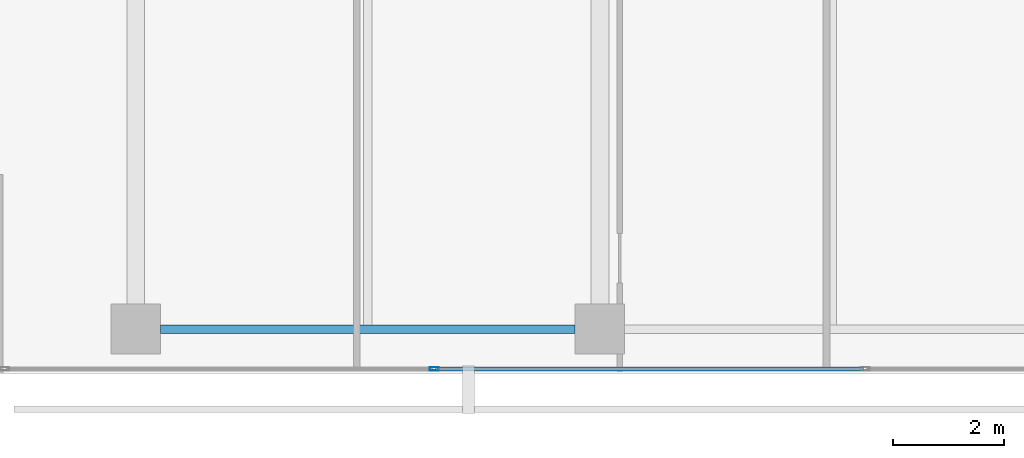
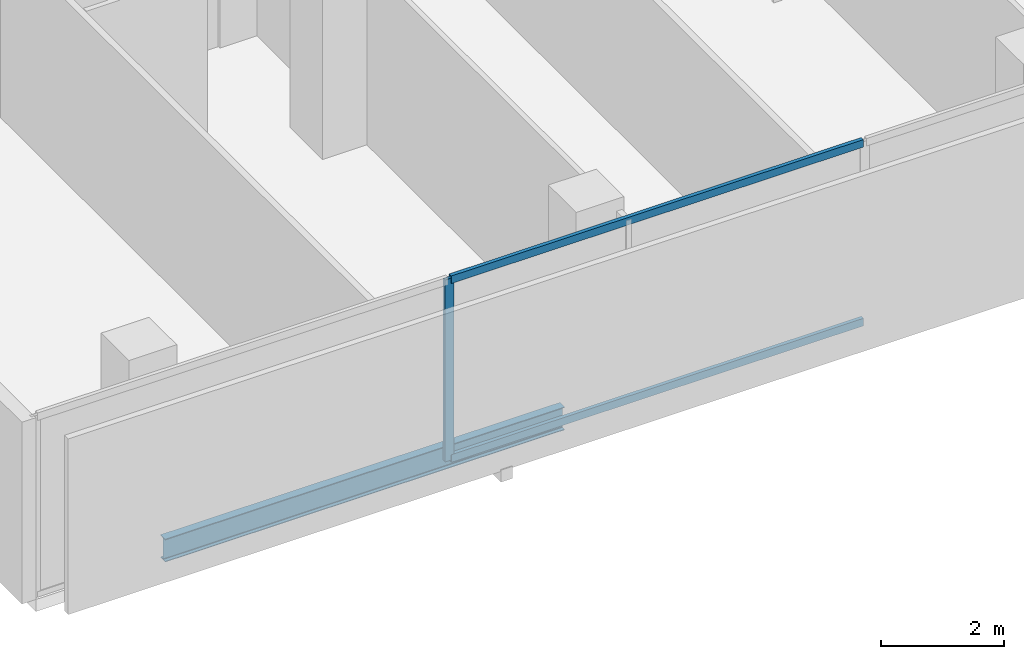
# One storey, part 3 of 40: 3 members, 1 beam, 1 element without a shape of its own.
"""IFC4 building model written with IfcOpenShell, lengths in metres."""

from ifc_helpers import new_model, si_unit, direction, frame, origin, origin_2d, place, context, subcontext, project, spatial, hollow_rectangle, i_section, extrude, material, layer, layer_set, material_profile, profile_set, type_object, element, aggregate, save


model = new_model("IFC4")

# Units and contexts
model_context = context("Model", 3, precision=1e-05, world=origin(), true_north=direction((0.0, 1.0)))
body_context = subcontext(model_context, "Body", "Model", "MODEL_VIEW")
ifc_project = project(units=[si_unit("LENGTHUNIT", "METRE"), si_unit("AREAUNIT", "SQUARE_METRE"), si_unit("VOLUMEUNIT", "CUBIC_METRE"), si_unit("PLANEANGLEUNIT", "RADIAN"), si_unit("MASSUNIT", "GRAM", prefix="KILO")], contexts=[model_context])

# Site, building, storey
site_placement = place(None, origin())
site = spatial("IfcSite", under=ifc_project, at=site_placement, CompositionType="ELEMENT")
building_placement = place(site_placement, origin())
building = spatial("IfcBuilding", under=site, at=building_placement, Name="Maruvema Waterfront Hotel and Observation Tower", CompositionType="ELEMENT")
storey_placement = place(building_placement, frame((0.0, 0.0, 92.39990234375)))
storey = spatial("IfcBuildingStorey", under=building, at=storey_placement, Name="L22", CompositionType="ELEMENT", Elevation=92.39990234375)

# Curtain wall, members
ifc_material_1 = material(Name="Anodised bronze aluminium and solar-control low-E IGU", Category="aluminium")
ifc_layer = layer(ifc_material_1, 0.159912109375, Name="Zone 1 Bronze Inner Thermal Curtain Wall System CW-02")
ifc_layer_set = layer_set([ifc_layer], Name="Anodised bronze aluminium and solar-control low-E IGU")
curtain_wall_type = type_object("IfcCurtainWallType", Name="Zone 1 Bronze Inner Thermal Curtain Wall System CW-02", PredefinedType="USERDEFINED", material=ifc_layer_set)
curtain_wall_placement = place(storey_placement, origin())
curtain_wall = element("IfcCurtainWall", 1, at=curtain_wall_placement, inside=storey, type_object=curtain_wall_type, Name="L22 Curtain Wall CW-L22-S", ObjectType="UNITISED CURTAIN WALL", PredefinedType="USERDEFINED")
ifc_material_2 = material(Name="Anodised architectural bronze aluminium", Category="aluminium")
ifc_material_profile_1 = material_profile(ifc_material_2, hollow_rectangle(XDim=0.070068359375, YDim=0.14990234375, WallThickness=0.00390625, at=origin_2d()), Name="ALU-T70x150")
ifc_profile_set_1 = profile_set([ifc_material_profile_1], Name="Anodised architectural bronze aluminium")
member_type_1 = type_object("IfcMemberType", Name="Curtain Wall Horizontal Transom ALU-T70x150", PredefinedType="USERDEFINED", material=ifc_profile_set_1)
member_1_placement = place(storey_placement, frame((22.22998046875, 0.080078125, 0.030029296875), z_axis=(1.0, 0.0, 0.0), x_axis=(0.0, 1.0, 0.0)))
member_1 = element("IfcMember", 2, at=member_1_placement, type_object=member_type_1, Name="CW-02 transom 2.1", ObjectType="TRANSOM", PredefinedType="USERDEFINED", context=body_context, shape_type="SweptSolid", body=[
    extrude(hollow_rectangle(XDim=0.070068359375, YDim=0.14990234375, WallThickness=0.00390625, at=origin_2d()), origin(), (0.0, 0.0, 1.0), 7.739990234375),
])
member_2_placement = place(storey_placement, frame((22.22998046875, 0.080078125, 3.580078125), z_axis=(1.0, 0.0, 0.0), x_axis=(0.0, 1.0, 0.0)))
member_2 = element("IfcMember", 3, at=member_2_placement, type_object=member_type_1, Name="CW-02 transom 2.2", ObjectType="TRANSOM", PredefinedType="USERDEFINED", context=body_context, shape_type="SweptSolid", body=[
    extrude(hollow_rectangle(XDim=0.070068359375, YDim=0.14990234375, WallThickness=0.00390625, at=origin_2d()), origin(), (0.0, 0.0, 1.0), 7.739990234375),
])
ifc_material_3 = material(Name="Anodised architectural bronze aluminium", Category="aluminium")
ifc_material_profile_2 = material_profile(ifc_material_3, hollow_rectangle(XDim=0.06494140625, YDim=0.1650390625, WallThickness=0.00390625, at=origin_2d()), Name="ALU-M65x165")
ifc_profile_set_2 = profile_set([ifc_material_profile_2], Name="Anodised architectural bronze aluminium")
member_type_2 = type_object("IfcMemberType", Name="Curtain Wall Primary Mullion ALU-M65x165", PredefinedType="MULLION", material=ifc_profile_set_2)
member_3_placement = place(storey_placement, frame((22.199951171875, 0.080078125, 0.0), z_axis=(0.0, 0.0, 1.0), x_axis=(0.0, 1.0, 0.0)))
member_3 = element("IfcMember", 4, at=member_3_placement, type_object=member_type_2, Name="CW-02 mullion 2", PredefinedType="MULLION", context=body_context, shape_type="SweptSolid", body=[
    extrude(hollow_rectangle(XDim=0.06494140625, YDim=0.1650390625, WallThickness=0.00390625, at=origin_2d()), origin(), (0.0, 0.0, 1.0), 3.610107421875),
])
aggregate(curtain_wall, [member_3, member_1, member_2])

# Beam
ifc_material_4 = material(Name="Steel ASTM A572 Grade 50", Category="steel")
ifc_material_profile_3 = material_profile(ifc_material_4, i_section(OverallWidth=0.153076171875, OverallDepth=0.455078125, WebThickness=0.008056640625, FlangeThickness=0.01318359375, FilletRadius=0.014892578125, at=origin_2d()), Name="W460x60.0")
ifc_profile_set_3 = profile_set([ifc_material_profile_3], Name="Steel ASTM A572 Grade 50")
beam_type = type_object("IfcBeamType", Name="Perimeter Spandrel Beam W460x60.0", PredefinedType="SPANDREL", material=ifc_profile_set_3)
beam_placement = place(storey_placement, frame((17.25, 0.800048828125, -0.46728515625), z_axis=(1.0, 0.0, 0.0), x_axis=(0.0, 1.0, 0.0)))
element("IfcBeam", 5, at=beam_placement, inside=storey, type_object=beam_type, Name="L22 Floor Girder EW-01", PredefinedType="SPANDREL", context=body_context, shape_type="SweptSolid", body=[
    extrude(i_section(OverallWidth=0.153076171875, OverallDepth=0.455078125, WebThickness=0.008056640625, FlangeThickness=0.01318359375, FilletRadius=0.014892578125, at=origin_2d()), origin(), (0.0, 0.0, 1.0), 7.5),
])

save(model, "model.ifc")
